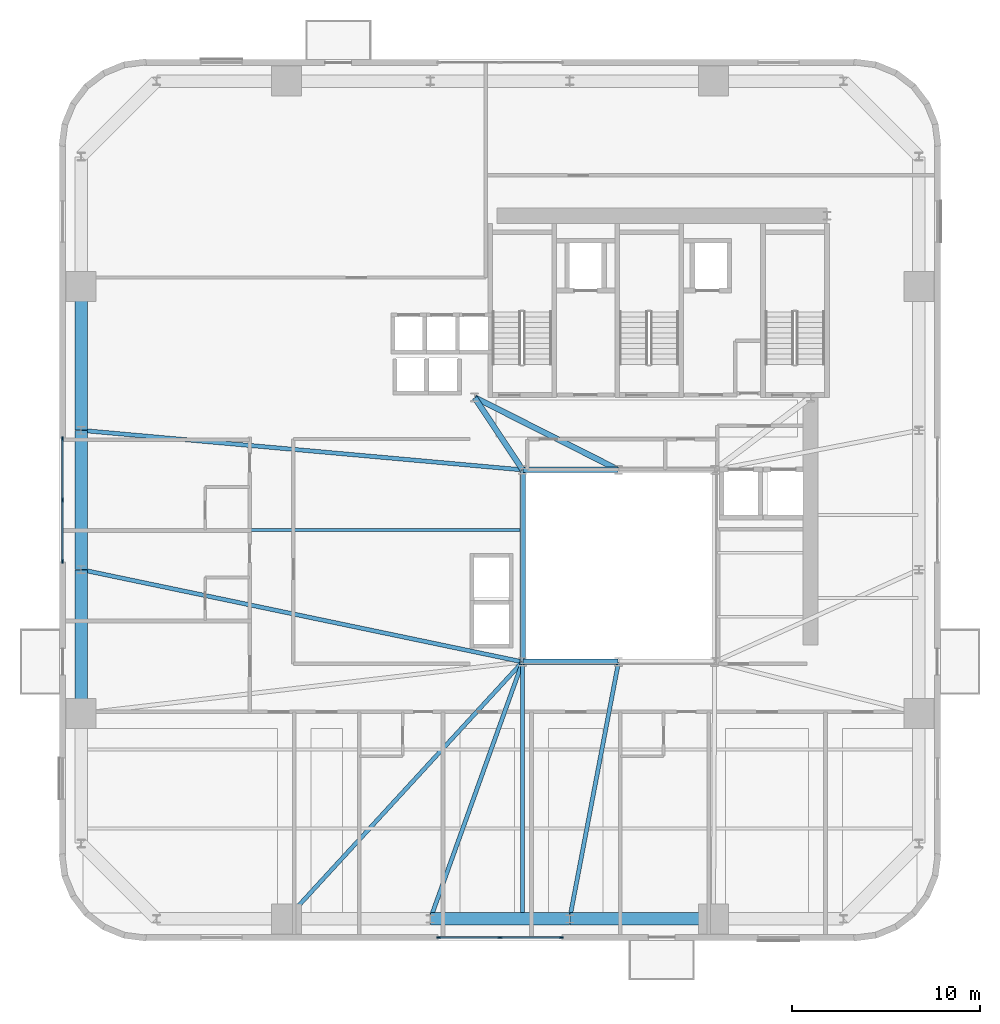
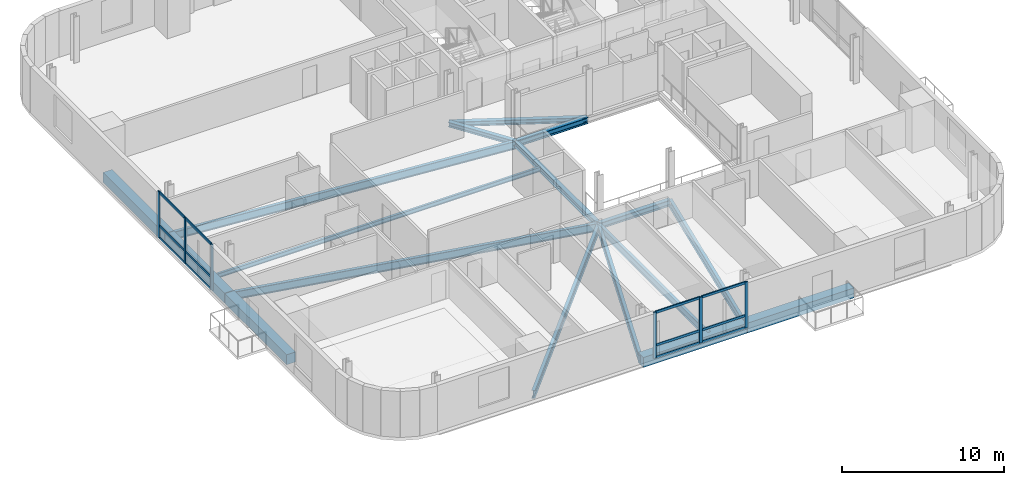
# One storey, part 2 of 14: 18 members, 17 beams, 2 elements without a shape of their own.
"""IFC4 building model written with IfcOpenShell, lengths in metres."""

from ifc_helpers import new_model, si_unit, direction, frame, origin, origin_2d, place, context, subcontext, project, spatial, rectangle, i_section, extrude, source, transform, mapped, material, material_profile, profile_set, type_object, element, aggregate, save


model = new_model("IFC4")

# Units and contexts
model_context = context("Model", 3, precision=1e-05, world=origin(), true_north=direction((0.0, 1.0)))
body_context = subcontext(model_context, "Body", "Model", "MODEL_VIEW")
ifc_project = project(units=[si_unit("LENGTHUNIT", "METRE"), si_unit("AREAUNIT", "SQUARE_METRE"), si_unit("VOLUMEUNIT", "CUBIC_METRE"), si_unit("PLANEANGLEUNIT", "RADIAN"), si_unit("MASSUNIT", "GRAM", prefix="KILO")], contexts=[model_context])

# Site, building, storey
site_placement = place(None, origin())
site = spatial("IfcSite", under=ifc_project, at=site_placement, CompositionType="ELEMENT")
building_placement = place(site_placement, origin())
building = spatial("IfcBuilding", under=site, at=building_placement, Name="Vardaveli Station Tower", CompositionType="ELEMENT")
storey_placement = place(building_placement, frame((0.0, 0.0, 152.0)))
storey = spatial("IfcBuildingStorey", under=building, at=storey_placement, Name="L39", CompositionType="ELEMENT", Elevation=152.0)

# Beams
ifc_material_1 = material(Name="Structural steel S355J2", Category="steel")
ifc_material_profile_1 = material_profile(ifc_material_1, i_section(OverallWidth=0.300048828125, OverallDepth=0.449951171875, WebThickness=0.013916015625, FlangeThickness=0.02587890625, FilletRadius=0.027099609375, at=origin_2d()), Name="HEB 450")
ifc_profile_set_1 = profile_set([ifc_material_profile_1], Name="Structural steel S355J2")
beam_type_1 = type_object("IfcBeamType", Name="BM-HEB450", PredefinedType="BEAM", material=ifc_profile_set_1)
shared_shape_1 = source(origin(), body_context, "Body", "SweptSolid", [
    extrude(i_section(OverallWidth=0.300048828125, OverallDepth=0.449951171875, WebThickness=0.013916015625, FlangeThickness=0.02587890625, FilletRadius=0.027099609375, at=origin_2d()), origin(), (0.0, 0.0, 1.0), 5.06005859375),
])
for number, where, z_axis, x_axis, name in (
    (1, (31.219970703125, 16.60009765625, -0.465087890625), (1.0, 0.0, 0.0), (0.0, 1.0, 0.0), "ABM-L39-01"),
    (2, (36.280029296875, 26.800048828125, -0.465087890625), (-1.0, 0.0, 0.0), (0.0, -1.0, 0.0), "ABM-L39-05"),
):
    element("IfcBeam", number, at=place(storey_placement, frame(where, z_axis=z_axis, x_axis=x_axis)), inside=storey, type_object=beam_type_1, Name=name, PredefinedType="BEAM", context=body_context, shape_type="MappedRepresentation", body=[
        mapped(shared_shape_1, transform((0.0, 0.0, 0.0), scale=1.0)),
    ])
shared_shape_2 = source(origin(), body_context, "Body", "SweptSolid", [
    extrude(i_section(OverallWidth=0.300048828125, OverallDepth=0.449951171875, WebThickness=0.013916015625, FlangeThickness=0.02587890625, FilletRadius=0.027099609375, at=origin_2d()), origin(), (0.0, 0.0, 1.0), 10.159912109375),
])
beam_1_placement = place(storey_placement, frame((31.199951171875, 26.780029296875, -0.465087890625), z_axis=(0.0, -1.0, 0.0), x_axis=(1.0, 0.0, 0.0)))
element("IfcBeam", 3, at=beam_1_placement, inside=storey, type_object=beam_type_1, Name="ABM-L39-06", PredefinedType="BEAM", context=body_context, shape_type="MappedRepresentation", body=[
    mapped(shared_shape_2, transform((0.0, 0.0, 0.0), scale=1.0)),
])
ifc_material_profile_2 = material_profile(ifc_material_1, i_section(OverallWidth=0.300048828125, OverallDepth=0.360107421875, WebThickness=0.012451171875, FlangeThickness=0.0224609375, FilletRadius=0.027099609375, at=origin_2d()), Name="HEB 360")
ifc_profile_set_2 = profile_set([ifc_material_profile_2], Name="Structural steel S355J2")
beam_type_2 = type_object("IfcBeamType", Name="BM-HEB360", PredefinedType="BEAM", material=ifc_profile_set_2)
shared_shape_3 = source(origin(), body_context, "Body", "SweptSolid", [
    extrude(i_section(OverallWidth=0.300048828125, OverallDepth=0.360107421875, WebThickness=0.012451171875, FlangeThickness=0.0224609375, FilletRadius=0.027099609375, at=origin_2d()), origin(), (0.0, 0.0, 1.0), 4.577880859375),
])
beam_2_placement = place(storey_placement, frame((31.18896484375, 26.816650390625, -0.419921875), z_axis=(-0.55218702139, 0.833720272879, 0.0), x_axis=(-0.833720272879, -0.55218702139, 0.0)))
element("IfcBeam", 4, at=beam_2_placement, inside=storey, type_object=beam_type_2, Name="CBM-L39-01", PredefinedType="BEAM", context=body_context, shape_type="MappedRepresentation", body=[
    mapped(shared_shape_3, transform((0.0, 0.0, 0.0), scale=1.0)),
])
shared_shape_4 = source(origin(), body_context, "Body", "SweptSolid", [
    extrude(i_section(OverallWidth=0.300048828125, OverallDepth=0.360107421875, WebThickness=0.012451171875, FlangeThickness=0.0224609375, FilletRadius=0.027099609375, at=origin_2d()), origin(), (0.0, 0.0, 1.0), 8.524169921875),
])
beam_3_placement = place(storey_placement, frame((28.66796875, 30.64111328125, -0.419921875), z_axis=(0.893255584708, -0.449549174605, 0.0), x_axis=(0.449549174605, 0.893255584708, 0.0)))
element("IfcBeam", 5, at=beam_3_placement, inside=storey, type_object=beam_type_2, Name="CBM-L39-03", PredefinedType="BEAM", context=body_context, shape_type="MappedRepresentation", body=[
    mapped(shared_shape_4, transform((0.0, 0.0, 0.0), scale=1.0)),
])
ifc_material_2 = material(Name="Precast concrete C45/55", Category="concrete")
ifc_material_profile_3 = material_profile(ifc_material_2, rectangle(XDim=0.64990234375, YDim=0.75, at=origin_2d()), Name="LPB 650x750")
ifc_profile_set_3 = profile_set([ifc_material_profile_3], Name="Precast concrete C45/55")
beam_type_3 = type_object("IfcBeamType", Name="BM-LPB-750", PredefinedType="BEAM", material=ifc_profile_set_3)
shared_shape_5 = source(origin(), body_context, "Body", "SweptSolid", [
    extrude(rectangle(XDim=0.64990234375, YDim=0.75, at=origin_2d()), origin(), (0.0, 0.0, 1.0), 7.60009765625),
])
for number, where, z_axis, x_axis, name in (
    (6, (33.719970703125, 2.949951171875, -0.614990234375), (1.0, 0.0, 0.0), (0.0, 1.0, 0.0), "RBM-L39-03"),
    (7, (7.75, 36.52001953125, -0.614990234375), (0.0, -1.0, 0.0), (1.0, 0.0, 0.0), "RBM-L39-19"),
    (8, (7.75, 21.47998046875, -0.614990234375), (0.0, -1.0, 0.0), (1.0, 0.0, 0.0), "RBM-L39-21"),
):
    element("IfcBeam", number, at=place(storey_placement, frame(where, z_axis=z_axis, x_axis=x_axis)), inside=storey, type_object=beam_type_3, Name=name, PredefinedType="BEAM", context=body_context, shape_type="MappedRepresentation", body=[
        mapped(shared_shape_5, transform((0.0, 0.0, 0.0), scale=1.0)),
    ])
shared_shape_6 = source(origin(), body_context, "Body", "SweptSolid", [
    extrude(rectangle(XDim=0.64990234375, YDim=0.75, at=origin_2d()), origin(), (0.0, 0.0, 1.0), 7.35986328125),
])
for number, where, z_axis, x_axis, name in (
    (9, (26.320068359375, 2.949951171875, -0.614990234375), (1.0, 0.0, 0.0), (0.0, 1.0, 0.0), "RBM-L39-02"),
    (10, (7.75, 28.8798828125, -0.614990234375), (0.0, -1.0, 0.0), (1.0, 0.0, 0.0), "RBM-L39-20"),
):
    element("IfcBeam", number, at=place(storey_placement, frame(where, z_axis=z_axis, x_axis=x_axis)), inside=storey, type_object=beam_type_3, Name=name, PredefinedType="BEAM", context=body_context, shape_type="MappedRepresentation", body=[
        mapped(shared_shape_6, transform((0.0, 0.0, 0.0), scale=1.0)),
    ])
ifc_material_profile_4 = material_profile(ifc_material_1, i_section(OverallWidth=0.2099609375, OverallDepth=0.550048828125, WebThickness=0.010986328125, FlangeThickness=0.01708984375, FilletRadius=0.02392578125, at=origin_2d()), Name="IPE 550")
ifc_profile_set_4 = profile_set([ifc_material_profile_4], Name="Structural steel S355J2")
beam_type_4 = type_object("IfcBeamType", Name="BM-IPE550", PredefinedType="BEAM", material=ifc_profile_set_4)
shared_shape_7 = source(origin(), body_context, "Body", "SweptSolid", [
    extrude(i_section(OverallWidth=0.2099609375, OverallDepth=0.550048828125, WebThickness=0.010986328125, FlangeThickness=0.01708984375, FilletRadius=0.02392578125, at=origin_2d()), origin(), (0.0, 0.0, 1.0), 13.469970703125),
])
beam_4_placement = place(storey_placement, frame((31.199951171875, 2.989990234375, -0.514892578125), z_axis=(0.0, 1.0, 0.0), x_axis=(-1.0, 0.0, 0.0)))
element("IfcBeam", 11, at=beam_4_placement, inside=storey, type_object=beam_type_4, Name="NSM-L39-S1", PredefinedType="BEAM", context=body_context, shape_type="MappedRepresentation", body=[
    mapped(shared_shape_7, transform((0.0, 0.0, 0.0), scale=1.0)),
])
ifc_material_profile_5 = material_profile(ifc_material_1, i_section(OverallWidth=0.159912109375, OverallDepth=0.330078125, WebThickness=0.007568359375, FlangeThickness=0.011474609375, FilletRadius=0.01806640625, at=origin_2d()), Name="IPE 330")
ifc_profile_set_5 = profile_set([ifc_material_profile_5], Name="Structural steel S355J2")
beam_type_5 = type_object("IfcBeamType", Name="BM-IPE330", PredefinedType="JOIST", material=ifc_profile_set_5)
shared_shape_8 = source(origin(), body_context, "Body", "SweptSolid", [
    extrude(i_section(OverallWidth=0.159912109375, OverallDepth=0.330078125, WebThickness=0.007568359375, FlangeThickness=0.011474609375, FilletRadius=0.01806640625, at=origin_2d()), origin(), (0.0, 0.0, 1.0), 23.2978515625),
])
beam_5_placement = place(storey_placement, frame((7.7900390625, 23.60009765625, -0.405029296875), z_axis=(1.0, 0.0, 0.0), x_axis=(0.0, 1.0, 0.0)))
element("IfcBeam", 12, at=beam_5_placement, inside=storey, type_object=beam_type_5, Name="SJ-L39-W06", PredefinedType="JOIST", context=body_context, shape_type="MappedRepresentation", body=[
    mapped(shared_shape_8, transform((0.0, 0.0, 0.0), scale=1.0)),
])
ifc_material_profile_6 = material_profile(ifc_material_1, i_section(OverallWidth=0.219970703125, OverallDepth=0.60009765625, WebThickness=0.011962890625, FlangeThickness=0.01904296875, FilletRadius=0.02392578125, at=origin_2d()), Name="IPE 600")
ifc_profile_set_6 = profile_set([ifc_material_profile_6], Name="Structural steel S355J2")
beam_type_6 = type_object("IfcBeamType", Name="BM-IPE600", PredefinedType="BEAM", material=ifc_profile_set_6)
shared_shape_9 = source(origin(), body_context, "Body", "SweptSolid", [
    extrude(i_section(OverallWidth=0.219970703125, OverallDepth=0.60009765625, WebThickness=0.011962890625, FlangeThickness=0.01904296875, FilletRadius=0.02392578125, at=origin_2d()), origin(), (0.0, 0.0, 1.0), 18.49560546875),
])
beam_6_placement = place(storey_placement, frame((18.673583984375, 2.96484375, -0.5400390625), z_axis=(0.676535341891, 0.736410165039, 0.0), x_axis=(-0.736410165039, 0.676535341891, 0.0)))
element("IfcBeam", 13, at=beam_6_placement, inside=storey, type_object=beam_type_6, Name="GBM-L39-01", PredefinedType="BEAM", context=body_context, shape_type="MappedRepresentation", body=[
    mapped(shared_shape_9, transform((0.0, 0.0, 0.0), scale=1.0)),
])
shared_shape_10 = source(origin(), body_context, "Body", "SweptSolid", [
    extrude(i_section(OverallWidth=0.219970703125, OverallDepth=0.60009765625, WebThickness=0.011962890625, FlangeThickness=0.01904296875, FilletRadius=0.02392578125, at=origin_2d()), origin(), (0.0, 0.0, 1.0), 14.462890625),
])
beam_7_placement = place(storey_placement, frame((26.306640625, 2.96875, -0.5400390625), z_axis=(0.337880090533, 0.941189165057, 0.0), x_axis=(-0.941189165057, 0.337880090533, 0.0)))
element("IfcBeam", 14, at=beam_7_placement, inside=storey, type_object=beam_type_6, Name="GBM-L39-02", PredefinedType="BEAM", context=body_context, shape_type="MappedRepresentation", body=[
    mapped(shared_shape_10, transform((0.0, 0.0, 0.0), scale=1.0)),
])
shared_shape_11 = source(origin(), body_context, "Body", "SweptSolid", [
    extrude(i_section(OverallWidth=0.219970703125, OverallDepth=0.60009765625, WebThickness=0.011962890625, FlangeThickness=0.01904296875, FilletRadius=0.02392578125, at=origin_2d()), origin(), (0.0, 0.0, 1.0), 13.855224609375),
])
beam_8_placement = place(storey_placement, frame((33.703857421875, 2.9697265625, -0.5400390625), z_axis=(0.187097533125, 0.982341342456, 0.0), x_axis=(-0.982341342456, 0.187097533125, 0.0)))
element("IfcBeam", 15, at=beam_8_placement, inside=storey, type_object=beam_type_6, Name="GBM-L39-03", PredefinedType="BEAM", context=body_context, shape_type="MappedRepresentation", body=[
    mapped(shared_shape_11, transform((0.0, 0.0, 0.0), scale=1.0)),
])
shared_shape_12 = source(origin(), body_context, "Body", "SweptSolid", [
    extrude(i_section(OverallWidth=0.219970703125, OverallDepth=0.60009765625, WebThickness=0.011962890625, FlangeThickness=0.01904296875, FilletRadius=0.02392578125, at=origin_2d()), origin(), (0.0, 0.0, 1.0), 23.50390625),
])
beam_9_placement = place(storey_placement, frame((7.77001953125, 28.898193359375, -0.5400390625), z_axis=(0.996014142198, -0.08919545135, 0.0), x_axis=(0.08919545135, 0.996014142198, 0.0)))
element("IfcBeam", 16, at=beam_9_placement, inside=storey, type_object=beam_type_6, Name="GBM-L39-08", PredefinedType="BEAM", context=body_context, shape_type="MappedRepresentation", body=[
    mapped(shared_shape_12, transform((0.0, 0.0, 0.0), scale=1.0)),
])
shared_shape_13 = source(origin(), body_context, "Body", "SweptSolid", [
    extrude(i_section(OverallWidth=0.219970703125, OverallDepth=0.60009765625, WebThickness=0.011962890625, FlangeThickness=0.01904296875, FilletRadius=0.02392578125, at=origin_2d()), origin(), (0.0, 0.0, 1.0), 23.91650390625),
])
beam_10_placement = place(storey_placement, frame((7.76953125, 21.495849609375, -0.5400390625), z_axis=(0.978858547354, -0.204538368703, 0.0), x_axis=(0.204538368703, 0.978858547354, 0.0)))
element("IfcBeam", 17, at=beam_10_placement, inside=storey, type_object=beam_type_6, Name="GBM-L39-09", PredefinedType="BEAM", context=body_context, shape_type="MappedRepresentation", body=[
    mapped(shared_shape_13, transform((0.0, 0.0, 0.0), scale=1.0)),
])

# Curtain wall, members
ifc_material_3 = material(Name="Travertine stone and solar-control glass", Category="masonry")
curtain_wall_type = type_object("IfcCurtainWallType", Name="CW-SYS-2", PredefinedType="NOTDEFINED", material=ifc_material_3)
curtain_wall_1_placement = place(storey_placement, origin())
curtain_wall_1 = element("IfcCurtainWall", 18, at=curtain_wall_1_placement, inside=storey, type_object=curtain_wall_type, Name="CW-L39-S", PredefinedType="NOTDEFINED")
ifc_material_4 = material(Name="Anodised aluminium alloy 6063-T6", Category="aluminium")
ifc_material_profile_7 = material_profile(ifc_material_4, rectangle(XDim=0.0849609375, YDim=0.179931640625, at=origin_2d()), Name="CWT 85x180")
ifc_profile_set_7 = profile_set([ifc_material_profile_7], Name="Anodised aluminium alloy 6063-T6")
member_type_1 = type_object("IfcMemberType", Name="CW-SYS-2-TRAN", PredefinedType="NOTDEFINED", material=ifc_profile_set_7)
shared_shape_14 = source(origin(), body_context, "Body", "SweptSolid", [
    extrude(rectangle(XDim=0.0849609375, YDim=0.179931640625, at=origin_2d()), origin(), (0.0, 0.0, 1.0), 3.172607421875),
])
member_1_placement = place(storey_placement, frame((26.784912109375, 1.9599609375, 0.04248046875), z_axis=(1.0, 0.0, 0.0), x_axis=(0.0, 1.0, 0.0)))
member_1 = element("IfcMember", 19, at=member_1_placement, type_object=member_type_1, Name="CW-2 transom 1.1", ObjectType="TRANSOM", PredefinedType="USERDEFINED", context=body_context, shape_type="MappedRepresentation", body=[
    mapped(shared_shape_14, transform((0.0, 0.0, 0.0), scale=1.0)),
])
member_2_placement = place(storey_placement, frame((26.784912109375, 1.9599609375, 0.949951171875), z_axis=(1.0, 0.0, 0.0), x_axis=(0.0, 1.0, 0.0)))
member_2 = element("IfcMember", 20, at=member_2_placement, type_object=member_type_1, Name="CW-2 transom 1.2", ObjectType="TRANSOM", PredefinedType="USERDEFINED", context=body_context, shape_type="MappedRepresentation", body=[
    mapped(shared_shape_14, transform((0.0, 0.0, 0.0), scale=1.0)),
])
member_3_placement = place(storey_placement, frame((26.784912109375, 1.9599609375, 3.41748046875), z_axis=(1.0, 0.0, 0.0), x_axis=(0.0, 1.0, 0.0)))
member_3 = element("IfcMember", 21, at=member_3_placement, type_object=member_type_1, Name="CW-2 transom 1.3", ObjectType="TRANSOM", PredefinedType="USERDEFINED", context=body_context, shape_type="MappedRepresentation", body=[
    mapped(shared_shape_14, transform((0.0, 0.0, 0.0), scale=1.0)),
])
member_4_placement = place(storey_placement, frame((30.04248046875, 1.9599609375, 0.04248046875), z_axis=(1.0, 0.0, 0.0), x_axis=(0.0, 1.0, 0.0)))
member_4 = element("IfcMember", 22, at=member_4_placement, type_object=member_type_1, Name="CW-2 transom 2.1", ObjectType="TRANSOM", PredefinedType="USERDEFINED", context=body_context, shape_type="MappedRepresentation", body=[
    mapped(shared_shape_14, transform((0.0, 0.0, 0.0), scale=1.0)),
])
member_5_placement = place(storey_placement, frame((30.04248046875, 1.9599609375, 0.949951171875), z_axis=(1.0, 0.0, 0.0), x_axis=(0.0, 1.0, 0.0)))
member_5 = element("IfcMember", 23, at=member_5_placement, type_object=member_type_1, Name="CW-2 transom 2.2", ObjectType="TRANSOM", PredefinedType="USERDEFINED", context=body_context, shape_type="MappedRepresentation", body=[
    mapped(shared_shape_14, transform((0.0, 0.0, 0.0), scale=1.0)),
])
member_6_placement = place(storey_placement, frame((30.04248046875, 1.9599609375, 3.41748046875), z_axis=(1.0, 0.0, 0.0), x_axis=(0.0, 1.0, 0.0)))
member_6 = element("IfcMember", 24, at=member_6_placement, type_object=member_type_1, Name="CW-2 transom 2.3", ObjectType="TRANSOM", PredefinedType="USERDEFINED", context=body_context, shape_type="MappedRepresentation", body=[
    mapped(shared_shape_14, transform((0.0, 0.0, 0.0), scale=1.0)),
])

curtain_wall_2_placement = place(storey_placement, origin())
curtain_wall_2 = element("IfcCurtainWall", 25, at=curtain_wall_2_placement, inside=storey, type_object=curtain_wall_type, Name="CW-L39-W", PredefinedType="NOTDEFINED")
member_7_placement = place(storey_placement, frame((6.760009765625, 28.4150390625, 0.04248046875), z_axis=(0.0, -1.0, 0.0), x_axis=(1.0, 0.0, 0.0)))
member_7 = element("IfcMember", 26, at=member_7_placement, type_object=member_type_1, Name="CW-2 transom 1.1", ObjectType="TRANSOM", PredefinedType="USERDEFINED", context=body_context, shape_type="MappedRepresentation", body=[
    mapped(shared_shape_14, transform((0.0, 0.0, 0.0), scale=1.0)),
])
member_8_placement = place(storey_placement, frame((6.760009765625, 28.4150390625, 0.949951171875), z_axis=(0.0, -1.0, 0.0), x_axis=(1.0, 0.0, 0.0)))
member_8 = element("IfcMember", 27, at=member_8_placement, type_object=member_type_1, Name="CW-2 transom 1.2", ObjectType="TRANSOM", PredefinedType="USERDEFINED", context=body_context, shape_type="MappedRepresentation", body=[
    mapped(shared_shape_14, transform((0.0, 0.0, 0.0), scale=1.0)),
])
member_9_placement = place(storey_placement, frame((6.760009765625, 28.4150390625, 3.41748046875), z_axis=(0.0, -1.0, 0.0), x_axis=(1.0, 0.0, 0.0)))
member_9 = element("IfcMember", 28, at=member_9_placement, type_object=member_type_1, Name="CW-2 transom 1.3", ObjectType="TRANSOM", PredefinedType="USERDEFINED", context=body_context, shape_type="MappedRepresentation", body=[
    mapped(shared_shape_14, transform((0.0, 0.0, 0.0), scale=1.0)),
])
shared_shape_15 = source(origin(), body_context, "Body", "SweptSolid", [
    extrude(rectangle(XDim=0.0849609375, YDim=0.179931640625, at=origin_2d()), origin(), (0.0, 0.0, 1.0), 3.17236328125),
])
member_10_placement = place(storey_placement, frame((6.760009765625, 25.157470703125, 0.04248046875), z_axis=(0.0, -1.0, 0.0), x_axis=(1.0, 0.0, 0.0)))
member_10 = element("IfcMember", 29, at=member_10_placement, type_object=member_type_1, Name="CW-2 transom 2.1", ObjectType="TRANSOM", PredefinedType="USERDEFINED", context=body_context, shape_type="MappedRepresentation", body=[
    mapped(shared_shape_15, transform((0.0, 0.0, 0.0), scale=1.0)),
])
member_11_placement = place(storey_placement, frame((6.760009765625, 25.157470703125, 0.949951171875), z_axis=(0.0, -1.0, 0.0), x_axis=(1.0, 0.0, 0.0)))
member_11 = element("IfcMember", 30, at=member_11_placement, type_object=member_type_1, Name="CW-2 transom 2.2", ObjectType="TRANSOM", PredefinedType="USERDEFINED", context=body_context, shape_type="MappedRepresentation", body=[
    mapped(shared_shape_15, transform((0.0, 0.0, 0.0), scale=1.0)),
])
member_12_placement = place(storey_placement, frame((6.760009765625, 25.157470703125, 3.41748046875), z_axis=(0.0, -1.0, 0.0), x_axis=(1.0, 0.0, 0.0)))
member_12 = element("IfcMember", 31, at=member_12_placement, type_object=member_type_1, Name="CW-2 transom 2.3", ObjectType="TRANSOM", PredefinedType="USERDEFINED", context=body_context, shape_type="MappedRepresentation", body=[
    mapped(shared_shape_15, transform((0.0, 0.0, 0.0), scale=1.0)),
])

# Member
ifc_material_profile_8 = material_profile(ifc_material_4, rectangle(XDim=0.0849609375, YDim=0.219970703125, at=origin_2d()), Name="CWM 85x220")
ifc_profile_set_8 = profile_set([ifc_material_profile_8], Name="Anodised aluminium alloy 6063-T6")
member_type_2 = type_object("IfcMemberType", Name="CW-SYS-2-MULL", PredefinedType="MULLION", material=ifc_profile_set_8)
shared_shape_16 = source(origin(), body_context, "Body", "SweptSolid", [
    extrude(rectangle(XDim=0.0849609375, YDim=0.219970703125, at=origin_2d()), origin(), (0.0, 0.0, 1.0), 3.4599609375),
])
member_13_placement = place(storey_placement, frame((26.742431640625, 1.9599609375, 0.0), z_axis=(0.0, 0.0, 1.0), x_axis=(0.0, 1.0, 0.0)))
member_13 = element("IfcMember", 32, at=member_13_placement, type_object=member_type_2, Name="CW-2 mullion 1", PredefinedType="MULLION", context=body_context, shape_type="MappedRepresentation", body=[
    mapped(shared_shape_16, transform((0.0, 0.0, 0.0), scale=1.0)),
])

member_14_placement = place(storey_placement, frame((30.0, 1.9599609375, 0.0), z_axis=(0.0, 0.0, 1.0), x_axis=(0.0, 1.0, 0.0)))
member_14 = element("IfcMember", 33, at=member_14_placement, type_object=member_type_2, Name="CW-2 mullion 2", PredefinedType="MULLION", context=body_context, shape_type="MappedRepresentation", body=[
    mapped(shared_shape_16, transform((0.0, 0.0, 0.0), scale=1.0)),
])

member_15_placement = place(storey_placement, frame((33.257568359375, 1.9599609375, 0.0), z_axis=(0.0, 0.0, 1.0), x_axis=(0.0, 1.0, 0.0)))
member_15 = element("IfcMember", 34, at=member_15_placement, type_object=member_type_2, Name="CW-2 mullion 3", PredefinedType="MULLION", context=body_context, shape_type="MappedRepresentation", body=[
    mapped(shared_shape_16, transform((0.0, 0.0, 0.0), scale=1.0)),
])

aggregate(curtain_wall_1, [member_13, member_14, member_15, member_1, member_2, member_3, member_4, member_5, member_6])

member_16_placement = place(storey_placement, frame((6.760009765625, 28.45751953125, 0.0), z_axis=(0.0, 0.0, 1.0), x_axis=(1.0, 0.0, 0.0)))
member_16 = element("IfcMember", 35, at=member_16_placement, type_object=member_type_2, Name="CW-2 mullion 1", PredefinedType="MULLION", context=body_context, shape_type="MappedRepresentation", body=[
    mapped(shared_shape_16, transform((0.0, 0.0, 0.0), scale=1.0)),
])

member_17_placement = place(storey_placement, frame((6.760009765625, 25.199951171875, 0.0), z_axis=(0.0, 0.0, 1.0), x_axis=(1.0, 0.0, 0.0)))
member_17 = element("IfcMember", 36, at=member_17_placement, type_object=member_type_2, Name="CW-2 mullion 2", PredefinedType="MULLION", context=body_context, shape_type="MappedRepresentation", body=[
    mapped(shared_shape_16, transform((0.0, 0.0, 0.0), scale=1.0)),
])

member_18_placement = place(storey_placement, frame((6.760009765625, 21.9423828125, 0.0), z_axis=(0.0, 0.0, 1.0), x_axis=(1.0, 0.0, 0.0)))
member_18 = element("IfcMember", 37, at=member_18_placement, type_object=member_type_2, Name="CW-2 mullion 3", PredefinedType="MULLION", context=body_context, shape_type="MappedRepresentation", body=[
    mapped(shared_shape_16, transform((0.0, 0.0, 0.0), scale=1.0)),
])

aggregate(curtain_wall_2, [member_16, member_17, member_18, member_7, member_8, member_9, member_10, member_11, member_12])

save(model, "model.ifc")
